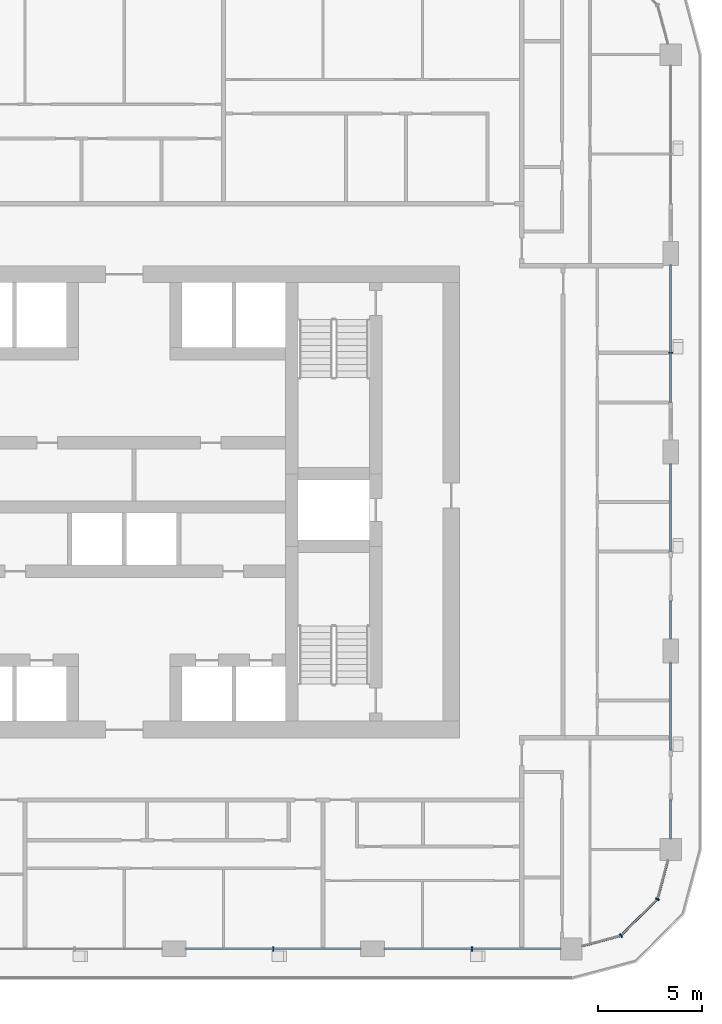
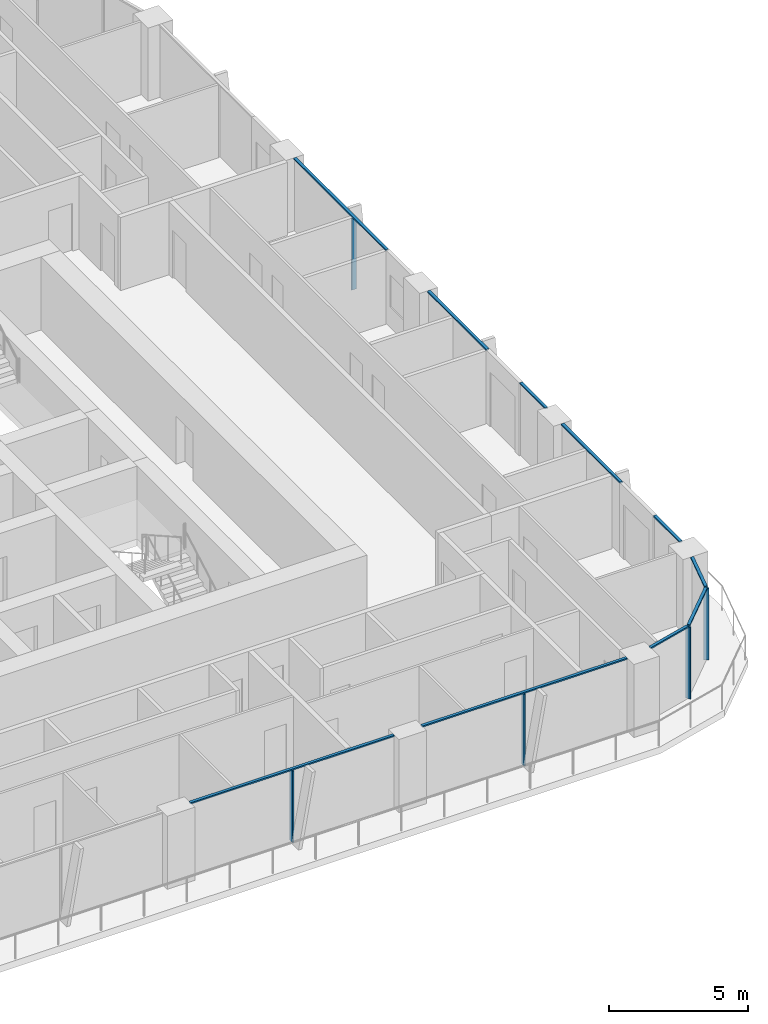
# One storey, part 4 of 22: 15 members, 6 elements without a shape of their own.
"""IFC4 building model written with IfcOpenShell, lengths in metres."""

from ifc_helpers import new_model, si_unit, direction, frame, origin, origin_2d, place, context, subcontext, project, spatial, rectangle, extrude, material, layer, layer_set, material_profile, profile_set, type_object, element, aggregate, save


model = new_model("IFC4")

# Units and contexts
model_context = context("Model", 3, precision=1e-05, world=origin(), true_north=direction((0.0, 1.0)))
body_context = subcontext(model_context, "Body", "Model", "MODEL_VIEW")
ifc_project = project(units=[si_unit("LENGTHUNIT", "METRE"), si_unit("AREAUNIT", "SQUARE_METRE"), si_unit("VOLUMEUNIT", "CUBIC_METRE"), si_unit("PLANEANGLEUNIT", "RADIAN"), si_unit("MASSUNIT", "GRAM", prefix="KILO")], contexts=[model_context])

# Site, building, storey
site_placement = place(None, origin())
site = spatial("IfcSite", under=ifc_project, at=site_placement, CompositionType="ELEMENT")
building_placement = place(site_placement, origin())
building = spatial("IfcBuilding", under=site, at=building_placement, Name="Madar Terraces", CompositionType="ELEMENT")
storey_placement = place(building_placement, frame((0.0, 0.0, 129.60009765625)))
storey = spatial("IfcBuildingStorey", under=building, at=storey_placement, Name="L33", CompositionType="ELEMENT", Elevation=129.60009765625)

# Curtain wall, member
ifc_material_1 = material(Name="Glass, ceramic frit dark grey, with black aluminium frame", Category="aluminium")
ifc_layer = layer(ifc_material_1, 0.199951171875)
ifc_layer_set = layer_set([ifc_layer], Name="Facade curtain wall, fritted glass")
curtain_wall_type = type_object("IfcCurtainWallType", Name="Facade curtain wall, fritted glass", PredefinedType="NOTDEFINED", material=ifc_layer_set)
curtain_wall_1_placement = place(storey_placement, origin())
curtain_wall_1 = element("IfcCurtainWall", 1, at=curtain_wall_1_placement, inside=storey, type_object=curtain_wall_type, Name="Outer skin curtain wall south bay 4", PredefinedType="NOTDEFINED")
ifc_material_2 = material(Name="Aluminium, black anodised", Category="aluminium")
ifc_material_profile_1 = material_profile(ifc_material_2, rectangle(XDim=0.199951171875, YDim=0.06005859375, at=origin_2d()), Name="Facade mullion 60x200")
ifc_profile_set_1 = profile_set([ifc_material_profile_1], Name="Aluminium, black anodised")
member_type_1 = type_object("IfcMemberType", Name="Facade mullion 60x200", PredefinedType="MULLION", material=ifc_profile_set_1)
member_1_placement = place(storey_placement, frame((38.39990234375, 4.800048828125, 0.0), z_axis=(0.0, 0.0, 1.0), x_axis=(0.0, 1.0, 0.0)))
member_1 = element("IfcMember", 2, at=member_1_placement, type_object=member_type_1, Name="Mullion 1", PredefinedType="MULLION", context=body_context, shape_type="SweptSolid", body=[
    extrude(rectangle(XDim=0.199951171875, YDim=0.06005859375, at=origin_2d()), origin(), (0.0, 0.0, 1.0), 3.139892578125),
])

curtain_wall_2_placement = place(storey_placement, origin())
curtain_wall_2 = element("IfcCurtainWall", 3, at=curtain_wall_2_placement, inside=storey, type_object=curtain_wall_type, Name="Outer skin curtain wall south bay 5", PredefinedType="NOTDEFINED")
member_2_placement = place(storey_placement, frame((48.0, 4.800048828125, 0.0), z_axis=(0.0, 0.0, 1.0), x_axis=(0.0, 1.0, 0.0)))
member_2 = element("IfcMember", 4, at=member_2_placement, type_object=member_type_1, Name="Mullion 1", PredefinedType="MULLION", context=body_context, shape_type="SweptSolid", body=[
    extrude(rectangle(XDim=0.199951171875, YDim=0.06005859375, at=origin_2d()), origin(), (0.0, 0.0, 1.0), 3.139892578125),
])

curtain_wall_3_placement = place(storey_placement, origin())
curtain_wall_3 = element("IfcCurtainWall", 5, at=curtain_wall_3_placement, inside=storey, type_object=curtain_wall_type, Name="Outer skin curtain wall east bay 3", PredefinedType="NOTDEFINED")
member_3_placement = place(storey_placement, frame((57.60009765625, 33.60009765625, 0.0), z_axis=(0.0, 0.0, 1.0), x_axis=(-1.0, 0.0, 0.0)))
member_3 = element("IfcMember", 6, at=member_3_placement, type_object=member_type_1, Name="Mullion 1", PredefinedType="MULLION", context=body_context, shape_type="SweptSolid", body=[
    extrude(rectangle(XDim=0.199951171875, YDim=0.06005859375, at=origin_2d()), origin(), (0.0, 0.0, 1.0), 3.139892578125),
])

# Curtain wall, members
curtain_wall_4_placement = place(storey_placement, origin())
curtain_wall_4 = element("IfcCurtainWall", 7, at=curtain_wall_4_placement, inside=storey, type_object=curtain_wall_type, Name="Outer skin curtain wall south-east corner", PredefinedType="NOTDEFINED")
member_4_placement = place(storey_placement, frame((55.199951171875, 5.443115234375, 0.0), z_axis=(0.0, 0.0, 1.0), x_axis=(-0.499999989586, 0.866025409797, 0.0)))
member_4 = element("IfcMember", 8, at=member_4_placement, type_object=member_type_1, Name="Mullion 1", PredefinedType="MULLION", context=body_context, shape_type="SweptSolid", body=[
    extrude(rectangle(XDim=0.199951171875, YDim=0.06005859375, at=origin_2d()), origin(), (0.0, 0.0, 1.0), 3.139892578125),
])
member_5_placement = place(storey_placement, frame((56.95703125, 7.199951171875, 0.0), z_axis=(0.0, 0.0, 1.0), x_axis=(-0.866025409797, 0.499999989586, 0.0)))
member_5 = element("IfcMember", 9, at=member_5_placement, type_object=member_type_1, Name="Mullion 2", PredefinedType="MULLION", context=body_context, shape_type="SweptSolid", body=[
    extrude(rectangle(XDim=0.199951171875, YDim=0.06005859375, at=origin_2d()), origin(), (0.0, 0.0, 1.0), 3.139892578125),
])

# Member
ifc_material_3 = material(Name="Aluminium, black anodised", Category="aluminium")
ifc_material_profile_2 = material_profile(ifc_material_3, rectangle(XDim=0.1201171875, YDim=0.06005859375, at=origin_2d()), Name="Facade transom 60x120")
ifc_profile_set_2 = profile_set([ifc_material_profile_2], Name="Aluminium, black anodised")
member_type_2 = type_object("IfcMemberType", Name="Facade transom 60x120", PredefinedType="USERDEFINED", material=ifc_profile_set_2)
member_6_placement = place(storey_placement, frame((34.175048828125, 4.800048828125, 3.169921875), z_axis=(1.0, 0.0, 0.0), x_axis=(0.0, 1.0, 0.0)))
member_6 = element("IfcMember", 10, at=member_6_placement, type_object=member_type_2, Name="Transom 1", ObjectType="TRANSOM", PredefinedType="USERDEFINED", context=body_context, shape_type="SweptSolid", body=[
    extrude(rectangle(XDim=0.1201171875, YDim=0.06005859375, at=origin_2d()), origin(), (0.0, 0.0, 1.0), 8.449951171875),
])

aggregate(curtain_wall_1, [member_1, member_6])

member_7_placement = place(storey_placement, frame((43.77490234375, 4.800048828125, 3.169921875), z_axis=(1.0, 0.0, 0.0), x_axis=(0.0, 1.0, 0.0)))
member_7 = element("IfcMember", 11, at=member_7_placement, type_object=member_type_2, Name="Transom 1", ObjectType="TRANSOM", PredefinedType="USERDEFINED", context=body_context, shape_type="SweptSolid", body=[
    extrude(rectangle(XDim=0.1201171875, YDim=0.06005859375, at=origin_2d()), origin(), (0.0, 0.0, 1.0), 8.5),
])

aggregate(curtain_wall_2, [member_2, member_7])

# Curtain wall, members
curtain_wall_5_placement = place(storey_placement, origin())
curtain_wall_5 = element("IfcCurtainWall", 12, at=curtain_wall_5_placement, inside=storey, type_object=curtain_wall_type, Name="Outer skin curtain wall east bay 1", PredefinedType="NOTDEFINED")
member_8_placement = place(storey_placement, frame((57.60009765625, 10.125, 3.169921875), z_axis=(0.0, 1.0, 0.0), x_axis=(-1.0, 0.0, 0.0)))
member_8 = element("IfcMember", 13, at=member_8_placement, type_object=member_type_2, Name="Transom 1", ObjectType="TRANSOM", PredefinedType="USERDEFINED", context=body_context, shape_type="SweptSolid", body=[
    extrude(rectangle(XDim=0.1201171875, YDim=0.06005859375, at=origin_2d()), origin(), (0.0, 0.0, 1.0), 1.875),
])
member_9_placement = place(storey_placement, frame((57.60009765625, 14.39990234375, 3.169921875), z_axis=(0.0, 1.0, 0.0), x_axis=(-1.0, 0.0, 0.0)))
member_9 = element("IfcMember", 14, at=member_9_placement, type_object=member_type_2, Name="Transom 2", ObjectType="TRANSOM", PredefinedType="USERDEFINED", context=body_context, shape_type="SweptSolid", body=[
    extrude(rectangle(XDim=0.1201171875, YDim=0.06005859375, at=origin_2d()), origin(), (0.0, 0.0, 1.0), 4.22509765625),
])
aggregate(curtain_wall_5, [member_8, member_9])

curtain_wall_6_placement = place(storey_placement, origin())
curtain_wall_6 = element("IfcCurtainWall", 15, at=curtain_wall_6_placement, inside=storey, type_object=curtain_wall_type, Name="Outer skin curtain wall east bay 2", PredefinedType="NOTDEFINED")
member_10_placement = place(storey_placement, frame((57.60009765625, 19.77490234375, 3.169921875), z_axis=(0.0, 1.0, 0.0), x_axis=(-1.0, 0.0, 0.0)))
member_10 = element("IfcMember", 16, at=member_10_placement, type_object=member_type_2, Name="Transom 1", ObjectType="TRANSOM", PredefinedType="USERDEFINED", context=body_context, shape_type="SweptSolid", body=[
    extrude(rectangle(XDim=0.1201171875, YDim=0.06005859375, at=origin_2d()), origin(), (0.0, 0.0, 1.0), 1.8251953125),
])
member_11_placement = place(storey_placement, frame((57.60009765625, 24.0, 3.169921875), z_axis=(0.0, 1.0, 0.0), x_axis=(-1.0, 0.0, 0.0)))
member_11 = element("IfcMember", 17, at=member_11_placement, type_object=member_type_2, Name="Transom 2", ObjectType="TRANSOM", PredefinedType="USERDEFINED", context=body_context, shape_type="SweptSolid", body=[
    extrude(rectangle(XDim=0.1201171875, YDim=0.06005859375, at=origin_2d()), origin(), (0.0, 0.0, 1.0), 4.22509765625),
])
aggregate(curtain_wall_6, [member_10, member_11])

# Member
member_12_placement = place(storey_placement, frame((57.60009765625, 31.199951171875, 3.169921875), z_axis=(0.0, 1.0, 0.0), x_axis=(-1.0, 0.0, 0.0)))
member_12 = element("IfcMember", 18, at=member_12_placement, type_object=member_type_2, Name="Transom 1", ObjectType="TRANSOM", PredefinedType="USERDEFINED", context=body_context, shape_type="SweptSolid", body=[
    extrude(rectangle(XDim=0.1201171875, YDim=0.06005859375, at=origin_2d()), origin(), (0.0, 0.0, 1.0), 6.625),
])

aggregate(curtain_wall_3, [member_3, member_12])

member_13_placement = place(storey_placement, frame((53.324951171875, 4.940673828125, 3.169921875), z_axis=(0.965933227928, 0.25879142023, 0.0), x_axis=(-0.25879142023, 0.965933227928, 0.0)))
member_13 = element("IfcMember", 19, at=member_13_placement, type_object=member_type_2, Name="Transom 1", ObjectType="TRANSOM", PredefinedType="USERDEFINED", context=body_context, shape_type="SweptSolid", body=[
    extrude(rectangle(XDim=0.1201171875, YDim=0.06005859375, at=origin_2d()), origin(), (0.0, 0.0, 1.0), 1.911376953125),
])

member_14_placement = place(storey_placement, frame((55.22119140625, 5.46435546875, 3.169921875), z_axis=(0.707157125196, 0.707056433593, 0.0), x_axis=(-0.707056433593, 0.707157125196, 0.0)))
member_14 = element("IfcMember", 20, at=member_14_placement, type_object=member_type_2, Name="Transom 2", ObjectType="TRANSOM", PredefinedType="USERDEFINED", context=body_context, shape_type="SweptSolid", body=[
    extrude(rectangle(XDim=0.1201171875, YDim=0.06005859375, at=origin_2d()), origin(), (0.0, 0.0, 1.0), 2.424560546875),
])

member_15_placement = place(storey_placement, frame((56.964599609375, 7.22900390625, 3.169921875), z_axis=(0.258823354654, 0.965924671538, 0.0), x_axis=(-0.965924671538, 0.258823354654, 0.0)))
member_15 = element("IfcMember", 21, at=member_15_placement, type_object=member_type_2, Name="Transom 3", ObjectType="TRANSOM", PredefinedType="USERDEFINED", context=body_context, shape_type="SweptSolid", body=[
    extrude(rectangle(XDim=0.1201171875, YDim=0.06005859375, at=origin_2d()), origin(), (0.0, 0.0, 1.0), 1.9111328125),
])

aggregate(curtain_wall_4, [member_4, member_13, member_5, member_14, member_15])

save(model, "model.ifc")
